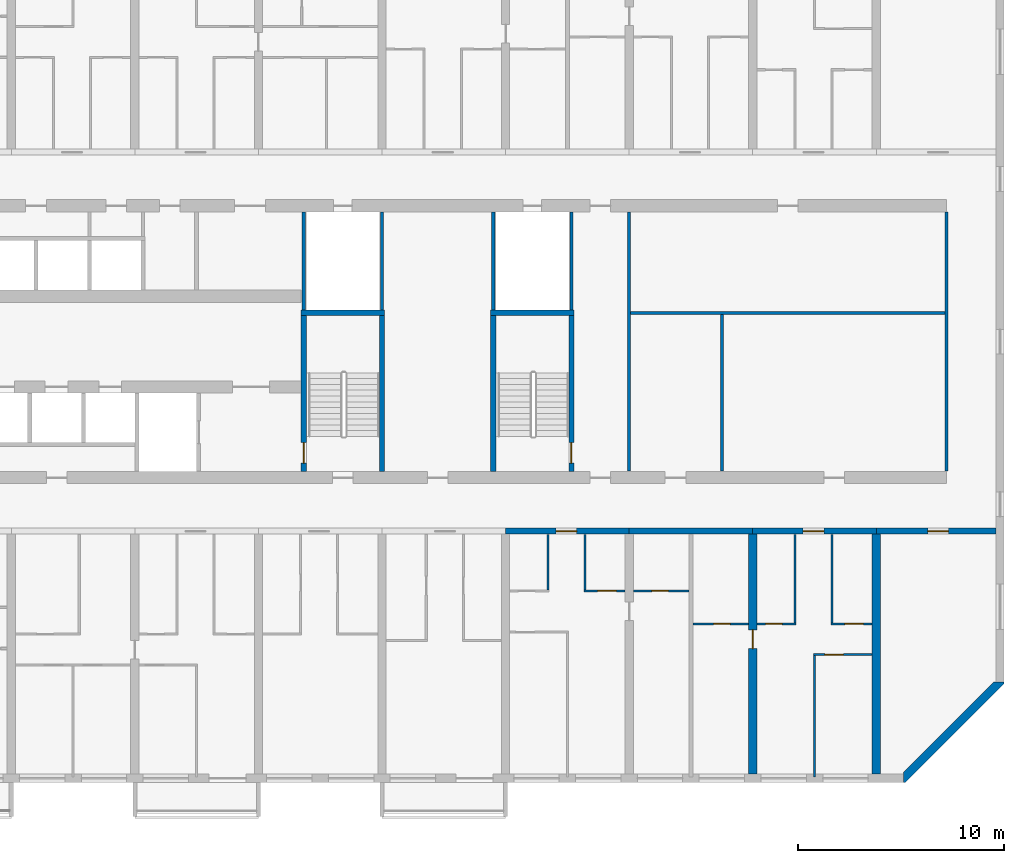
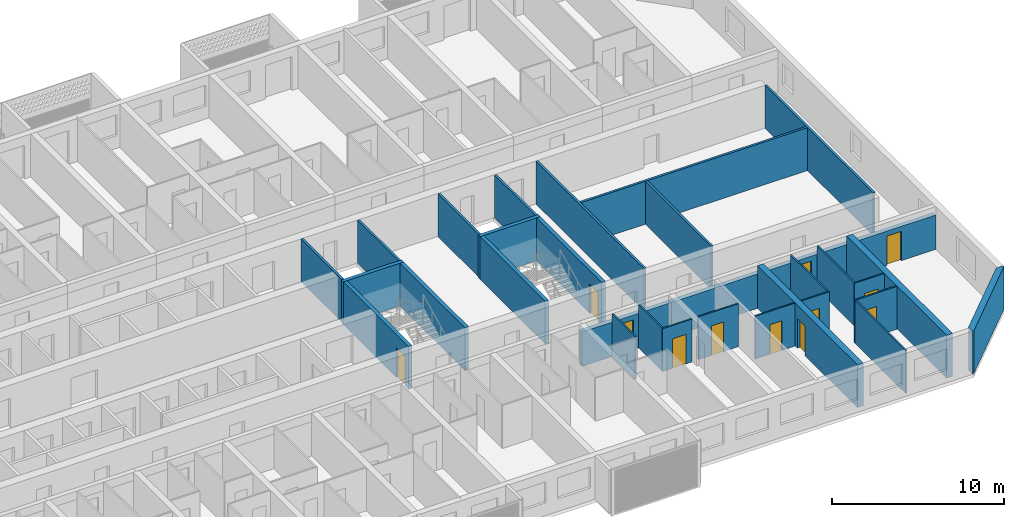
# One storey, part 17 of 44: 32 walls, 12 doors, 12 openings.
"""IFC4 building model written with IfcOpenShell, lengths in metres."""

from ifc_helpers import new_model, si_unit, direction, frame, frame_2d, origin, place, context, subcontext, project, spatial, polyline, rectangle, outline, extrude, material, layer, layer_set, type_object, element, fill, save


model = new_model("IFC4")

# Units and contexts
model_context = context("Model", 3, precision=1e-05, world=origin(), true_north=direction((0.0, 1.0)))
body_context = subcontext(model_context, "Body", "Model", "MODEL_VIEW")
ifc_project = project(units=[si_unit("LENGTHUNIT", "METRE"), si_unit("AREAUNIT", "SQUARE_METRE"), si_unit("VOLUMEUNIT", "CUBIC_METRE"), si_unit("PLANEANGLEUNIT", "RADIAN"), si_unit("MASSUNIT", "GRAM", prefix="KILO")], contexts=[model_context])

# Site, building, storey
site_placement = place(None, origin())
site = spatial("IfcSite", under=ifc_project, at=site_placement, CompositionType="ELEMENT")
building_placement = place(site_placement, origin())
building = spatial("IfcBuilding", under=site, at=building_placement, Name="Poui Terraces", CompositionType="ELEMENT")
storey_placement = place(building_placement, frame((0.0, 0.0, 26.699951171875)))
storey = spatial("IfcBuildingStorey", under=building, at=storey_placement, Name="L06", CompositionType="ELEMENT", Elevation=26.699951171875)

# Walls
ifc_material_1 = material(Name="Fire-rated plasterboard wall")
ifc_layer_1 = layer(ifc_material_1, 0.14990234375)
ifc_layer_set_1 = layer_set([ifc_layer_1], Name="Fire-rated plasterboard wall")
wall_type_1 = type_object("IfcWallType", Name="CORRIDOR WALL 150", PredefinedType="PARTITIONING", material=ifc_layer_set_1)
for number, where, z_axis, x_axis, name in (
    (1, (84.0, 14.909912109375, 0.0), (0.0, 0.0, 1.0), (0.0, 1.0, 0.0), "CORRIDOR WALL 150"),
    (2, (99.39990234375, 14.909912109375, 0.0), (0.0, 0.0, 1.0), (0.0, 1.0, 0.0), "CORRIDOR WALL 150"),
):
    element("IfcWall", number, at=place(storey_placement, frame(where, z_axis=z_axis, x_axis=x_axis)), inside=storey, type_object=wall_type_1, Name=name, PredefinedType="PARTITIONING", context=body_context, shape_type="SweptSolid", body=[
        extrude(rectangle(XDim=12.580078125, YDim=0.14990234375, at=frame_2d((6.2900390625, 0.0))), origin(), (0.0, 0.0, 1.0), 3.050048828125),
    ])

# Wall, opening, door
ifc_material_2 = material(Name="Concrete 80 MPa", Category="concrete")
ifc_layer_2 = layer(ifc_material_2, 0.300048828125)
ifc_layer_set_2 = layer_set([ifc_layer_2], Name="Concrete 80 MPa")
wall_type_2 = type_object("IfcWallType", Name="CORRIDOR WALL 300 80MPa", PredefinedType="SHEAR", material=ifc_layer_set_2)
wall_1_placement = place(storey_placement, frame((78.0, 12.0, 0.0), z_axis=(0.0, 0.0, 1.0), x_axis=(1.0, 0.0, 0.0)))
wall_1 = element("IfcWall", 3, at=wall_1_placement, inside=storey, type_object=wall_type_2, Name="CORRIDOR WALL LINE B BAY 14", PredefinedType="SHEAR", context=body_context, shape_type="SweptSolid", body=[
    extrude(rectangle(XDim=6.0, YDim=0.300048828125, at=frame_2d((3.0, 0.0))), origin(), (0.0, 0.0, 1.0), 2.449951171875),
])
opening_1_placement = place(wall_1_placement, frame((2.449951171875, 0.0, 0.0)))
opening_1 = element("IfcOpeningElement", 4, at=opening_1_placement, cuts=wall_1, Name="Opening FD30S", PredefinedType="OPENING", context=body_context, shape_type="SweptSolid", body=[
    extrude(rectangle(XDim=1.0, YDim=2.10009765625, at=frame_2d((0.5, 1.050048828125))), frame((0.0, 0.16015625, 0.0), z_axis=(0.0, -1.0, 0.0), x_axis=(1.0, 0.0, 0.0)), (0.0, 0.0, 1.0), 0.320068359375),
])
ifc_material_3 = material(Name="Steel fire door", Category="steel")
door_type_1 = type_object("IfcDoorType", Name="FLAT ENTRANCE DOOR 1000 X 2100", OperationType="NOTDEFINED", PredefinedType="DOOR", material=ifc_material_3)
door_1_placement = place(opening_1_placement, frame((1.0, 0.0, 0.0), z_axis=(0.0, 0.0, 1.0), x_axis=(-1.0, 0.0, 0.0)))
door_1 = element("IfcDoor", 5, at=door_1_placement, inside=storey, type_object=door_type_1, Name="FLAT ENTRANCE DOOR 141", OperationType="SINGLE_SWING_RIGHT", OverallHeight=2.10009765625, OverallWidth=1.0, PredefinedType="DOOR", context=body_context, shape_type="SweptSolid", body=[
    extrude(rectangle(XDim=1.0, YDim=2.10009765625, at=frame_2d((0.5, 1.050048828125))), frame((0.0, 0.02490234375, 0.0), z_axis=(0.0, -1.0, 0.0), x_axis=(1.0, 0.0, 0.0)), (0.0, 0.0, 1.0), 0.050048828125),
])
fill(opening_1, door_1)

# Wall
wall_2_placement = place(storey_placement, frame((84.0, 12.0, 0.0), z_axis=(0.0, 0.0, 1.0), x_axis=(1.0, 0.0, 0.0)))
element("IfcWall", 6, at=wall_2_placement, inside=storey, type_object=wall_type_2, Name="CORRIDOR WALL LINE B BAY 15", PredefinedType="SHEAR", context=body_context, shape_type="SweptSolid", body=[
    extrude(rectangle(XDim=6.0, YDim=0.300048828125, at=frame_2d((3.0, 0.0))), origin(), (0.0, 0.0, 1.0), 2.449951171875),
])

# Wall, opening, door
wall_3_placement = place(storey_placement, frame((90.0, 12.0, 0.0), z_axis=(0.0, 0.0, 1.0), x_axis=(1.0, 0.0, 0.0)))
wall_3 = element("IfcWall", 7, at=wall_3_placement, inside=storey, type_object=wall_type_2, Name="CORRIDOR WALL LINE B BAY 16", PredefinedType="SHEAR", context=body_context, shape_type="SweptSolid", body=[
    extrude(rectangle(XDim=6.0, YDim=0.300048828125, at=frame_2d((3.0, 0.0))), origin(), (0.0, 0.0, 1.0), 2.449951171875),
])
opening_2_placement = place(wall_3_placement, frame((2.449951171875, 0.0, 0.0)))
opening_2 = element("IfcOpeningElement", 8, at=opening_2_placement, cuts=wall_3, Name="Opening FD30S", PredefinedType="OPENING", context=body_context, shape_type="SweptSolid", body=[
    extrude(rectangle(XDim=1.0, YDim=2.10009765625, at=frame_2d((0.5, 1.050048828125))), frame((0.0, 0.16015625, 0.0), z_axis=(0.0, -1.0, 0.0), x_axis=(1.0, 0.0, 0.0)), (0.0, 0.0, 1.0), 0.320068359375),
])
door_2_placement = place(opening_2_placement, frame((1.0, 0.0, 0.0), z_axis=(0.0, 0.0, 1.0), x_axis=(-1.0, 0.0, 0.0)))
door_2 = element("IfcDoor", 9, at=door_2_placement, inside=storey, type_object=door_type_1, Name="FLAT ENTRANCE DOOR 147", OperationType="SINGLE_SWING_RIGHT", OverallHeight=2.10009765625, OverallWidth=1.0, PredefinedType="DOOR", context=body_context, shape_type="SweptSolid", body=[
    extrude(rectangle(XDim=1.0, YDim=2.10009765625, at=frame_2d((0.5, 1.050048828125))), frame((0.0, 0.02490234375, 0.0), z_axis=(0.0, -1.0, 0.0), x_axis=(1.0, 0.0, 0.0)), (0.0, 0.0, 1.0), 0.050048828125),
])
fill(opening_2, door_2)

wall_4_placement = place(storey_placement, frame((96.0, 12.0, 0.0), z_axis=(0.0, 0.0, 1.0), x_axis=(1.0, 0.0, 0.0)))
wall_4 = element("IfcWall", 10, at=wall_4_placement, inside=storey, type_object=wall_type_2, Name="CORRIDOR WALL LINE B BAY 17", PredefinedType="SHEAR", context=body_context, shape_type="SweptSolid", body=[
    extrude(rectangle(XDim=5.800048828125, YDim=0.300048828125, at=frame_2d((2.89990234375, 0.0))), origin(), (0.0, 0.0, 1.0), 2.449951171875),
])
opening_3_placement = place(wall_4_placement, frame((2.5, 0.0, 0.0)))
opening_3 = element("IfcOpeningElement", 11, at=opening_3_placement, cuts=wall_4, Name="Opening D100", PredefinedType="OPENING", context=body_context, shape_type="SweptSolid", body=[
    extrude(rectangle(XDim=1.0, YDim=2.10009765625, at=frame_2d((0.5, 1.050048828125))), frame((0.0, 0.16015625, 0.0), z_axis=(0.0, -1.0, 0.0), x_axis=(1.0, 0.0, 0.0)), (0.0, 0.0, 1.0), 0.320068359375),
])
ifc_material_4 = material(Name="Solid core timber door", Category="wood")
door_type_2 = type_object("IfcDoorType", Name="ACCESSIBLE INTERNAL DOOR 1000 X 2100", OperationType="NOTDEFINED", PredefinedType="DOOR", material=ifc_material_4)
door_3_placement = place(opening_3_placement, frame((1.0, 0.0, 0.0), z_axis=(0.0, 0.0, 1.0), x_axis=(-1.0, 0.0, 0.0)))
door_3 = element("IfcDoor", 12, at=door_3_placement, inside=storey, type_object=door_type_2, Name="ACCESSIBLE INTERNAL DOOR 150", OperationType="SINGLE_SWING_RIGHT", OverallHeight=2.10009765625, OverallWidth=1.0, PredefinedType="DOOR", context=body_context, shape_type="SweptSolid", body=[
    extrude(rectangle(XDim=1.0, YDim=2.10009765625, at=frame_2d((0.5, 1.050048828125))), frame((0.0, 0.02490234375, 0.0), z_axis=(0.0, -1.0, 0.0), x_axis=(1.0, 0.0, 0.0)), (0.0, 0.0, 1.0), 0.050048828125),
])
fill(opening_3, door_3)

ifc_layer_3 = layer(ifc_material_2, 0.39990234375)
ifc_layer_set_3 = layer_set([ifc_layer_3], Name="Concrete 80 MPa")
wall_type_3 = type_object("IfcWallType", Name="CROSS WALL 400 80MPa", PredefinedType="SHEAR", material=ifc_layer_set_3)
wall_5_placement = place(storey_placement, frame((90.0, 0.199951171875, 0.0), z_axis=(0.0, 0.0, 1.0), x_axis=(0.0, 1.0, 0.0)))
wall_5 = element("IfcWall", 13, at=wall_5_placement, inside=storey, type_object=wall_type_3, Name="CROSS WALL LINE 16 SOUTH", PredefinedType="SHEAR", context=body_context, shape_type="SweptSolid", body=[
    extrude(rectangle(XDim=11.650146484375, YDim=0.39990234375, at=frame_2d((5.8251953125, 0.0))), origin(), (0.0, 0.0, 1.0), 3.050048828125),
])
opening_4_placement = place(wall_5_placement, frame((6.10009765625, 0.0, 0.0)))
opening_4 = element("IfcOpeningElement", 14, at=opening_4_placement, cuts=wall_5, Name="Opening D90", PredefinedType="OPENING", context=body_context, shape_type="SweptSolid", body=[
    extrude(rectangle(XDim=0.89990234375, YDim=2.10009765625, at=frame_2d((0.449951171875, 1.050048828125))), frame((0.0, 0.2099609375, 0.0), z_axis=(0.0, -1.0, 0.0), x_axis=(1.0, 0.0, 0.0)), (0.0, 0.0, 1.0), 0.419921875),
])
door_type_3 = type_object("IfcDoorType", Name="INTERNAL DOOR 900 X 2100", OperationType="NOTDEFINED", PredefinedType="DOOR", material=ifc_material_4)
door_4_placement = place(opening_4_placement, origin())
door_4 = element("IfcDoor", 15, at=door_4_placement, inside=storey, type_object=door_type_3, Name="INTERNAL DOOR 145", OperationType="SINGLE_SWING_RIGHT", OverallHeight=2.10009765625, OverallWidth=0.89990234375, PredefinedType="DOOR", context=body_context, shape_type="SweptSolid", body=[
    extrude(rectangle(XDim=0.89990234375, YDim=2.10009765625, at=frame_2d((0.449951171875, 1.050048828125))), frame((0.0, 0.02490234375, 0.0), z_axis=(0.0, -1.0, 0.0), x_axis=(1.0, 0.0, 0.0)), (0.0, 0.0, 1.0), 0.050048828125),
])
fill(opening_4, door_4)

# Wall
wall_6_placement = place(storey_placement, frame((96.0, 0.199951171875, 0.0), z_axis=(0.0, 0.0, 1.0), x_axis=(0.0, 1.0, 0.0)))
element("IfcWall", 16, at=wall_6_placement, inside=storey, type_object=wall_type_3, Name="CROSS WALL LINE 17 SOUTH", PredefinedType="SHEAR", context=body_context, shape_type="SweptSolid", body=[
    extrude(rectangle(XDim=11.650146484375, YDim=0.39990234375, at=frame_2d((5.8251953125, 0.0))), origin(), (0.0, 0.0, 1.0), 3.050048828125),
])

# Wall, opening, door
ifc_material_5 = material(Name="Plasterboard partition")
ifc_layer_4 = layer(ifc_material_5, 0.10009765625)
ifc_layer_set_4 = layer_set([ifc_layer_4], Name="Plasterboard partition")
wall_type_4 = type_object("IfcWallType", Name="FLAT PARTITION 100", PredefinedType="PARTITIONING", material=ifc_layer_set_4)
wall_7_placement = place(storey_placement, frame((92.949951171875, 6.0, 0.0), z_axis=(0.0, 0.0, 1.0), x_axis=(1.0, 0.0, 0.0)))
wall_7 = element("IfcWall", 17, at=wall_7_placement, inside=storey, type_object=wall_type_4, Name="FLAT PARTITION 100", PredefinedType="PARTITIONING", context=body_context, shape_type="SweptSolid", body=[
    extrude(rectangle(XDim=2.840087890625, YDim=0.10009765625, at=frame_2d((1.419921875, 0.0))), origin(), (0.0, 0.0, 1.0), 3.050048828125),
])
opening_5_placement = place(wall_7_placement, frame((0.550048828125, 0.0, 0.0)))
opening_5 = element("IfcOpeningElement", 18, at=opening_5_placement, cuts=wall_7, Name="Opening D90", PredefinedType="OPENING", context=body_context, shape_type="SweptSolid", body=[
    extrude(rectangle(XDim=0.89990234375, YDim=2.10009765625, at=frame_2d((0.449951171875, 1.050048828125))), frame((0.0, 0.06005859375, 0.0), z_axis=(0.0, -1.0, 0.0), x_axis=(1.0, 0.0, 0.0)), (0.0, 0.0, 1.0), 0.1201171875),
])
door_5_placement = place(opening_5_placement, origin())
door_5 = element("IfcDoor", 19, at=door_5_placement, inside=storey, type_object=door_type_3, Name="INTERNAL DOOR 148", OperationType="SINGLE_SWING_RIGHT", OverallHeight=2.10009765625, OverallWidth=0.89990234375, PredefinedType="DOOR", context=body_context, shape_type="SweptSolid", body=[
    extrude(rectangle(XDim=0.89990234375, YDim=2.10009765625, at=frame_2d((0.449951171875, 1.050048828125))), frame((0.0, 0.02490234375, 0.0), z_axis=(0.0, -1.0, 0.0), x_axis=(1.0, 0.0, 0.0)), (0.0, 0.0, 1.0), 0.050048828125),
])
fill(opening_5, door_5)

wall_8_placement = place(storey_placement, frame((87.10009765625, 7.5, 0.0), z_axis=(0.0, 0.0, 1.0), x_axis=(1.0, 0.0, 0.0)))
wall_8 = element("IfcWall", 20, at=wall_8_placement, inside=storey, type_object=wall_type_4, Name="FLAT PARTITION 100", PredefinedType="PARTITIONING", context=body_context, shape_type="SweptSolid", body=[
    extrude(rectangle(XDim=2.68994140625, YDim=0.10009765625, at=frame_2d((1.344970703125, 0.0))), origin(), (0.0, 0.0, 1.0), 3.050048828125),
])
opening_6_placement = place(wall_8_placement, frame((1.0, 0.0, 0.0)))
opening_6 = element("IfcOpeningElement", 21, at=opening_6_placement, cuts=wall_8, Name="Opening D80", PredefinedType="OPENING", context=body_context, shape_type="SweptSolid", body=[
    extrude(rectangle(XDim=0.800048828125, YDim=2.10009765625, at=frame_2d((0.39990234375, 1.050048828125))), frame((0.0, 0.06005859375, 0.0), z_axis=(0.0, -1.0, 0.0), x_axis=(1.0, 0.0, 0.0)), (0.0, 0.0, 1.0), 0.1201171875),
])
door_type_4 = type_object("IfcDoorType", Name="BATHROOM, LAUNDRY AND STORE DOOR 800 X 2100", OperationType="NOTDEFINED", PredefinedType="DOOR", material=ifc_material_4)
door_6_placement = place(opening_6_placement, origin())
door_6 = element("IfcDoor", 22, at=door_6_placement, inside=storey, type_object=door_type_4, Name="BATHROOM, LAUNDRY AND STORE DOOR 144", OperationType="SINGLE_SWING_RIGHT", OverallHeight=2.10009765625, OverallWidth=0.800048828125, PredefinedType="DOOR", context=body_context, shape_type="SweptSolid", body=[
    extrude(rectangle(XDim=0.800048828125, YDim=2.10009765625, at=frame_2d((0.39990234375, 1.050048828125))), frame((0.0, 0.02490234375, 0.0), z_axis=(0.0, -1.0, 0.0), x_axis=(1.0, 0.0, 0.0)), (0.0, 0.0, 1.0), 0.050048828125),
])
fill(opening_6, door_6)

wall_9_placement = place(storey_placement, frame((90.2099609375, 7.5, 0.0), z_axis=(0.0, 0.0, 1.0), x_axis=(1.0, 0.0, 0.0)))
wall_9 = element("IfcWall", 23, at=wall_9_placement, inside=storey, type_object=wall_type_4, Name="FLAT PARTITION 100", PredefinedType="PARTITIONING", context=body_context, shape_type="SweptSolid", body=[
    extrude(rectangle(XDim=1.89013671875, YDim=0.10009765625, at=frame_2d((0.945068359375, 0.0))), origin(), (0.0, 0.0, 1.0), 3.050048828125),
])
opening_7_placement = place(wall_9_placement, frame((0.4150390625, 0.0, 0.0)))
opening_7 = element("IfcOpeningElement", 24, at=opening_7_placement, cuts=wall_9, Name="Opening D80", PredefinedType="OPENING", context=body_context, shape_type="SweptSolid", body=[
    extrude(rectangle(XDim=0.800048828125, YDim=2.10009765625, at=frame_2d((0.39990234375, 1.050048828125))), frame((0.0, 0.06005859375, 0.0), z_axis=(0.0, -1.0, 0.0), x_axis=(1.0, 0.0, 0.0)), (0.0, 0.0, 1.0), 0.1201171875),
])
door_7_placement = place(opening_7_placement, origin())
door_7 = element("IfcDoor", 25, at=door_7_placement, inside=storey, type_object=door_type_4, Name="BATHROOM, LAUNDRY AND STORE DOOR 146", OperationType="SINGLE_SWING_RIGHT", OverallHeight=2.10009765625, OverallWidth=0.800048828125, PredefinedType="DOOR", context=body_context, shape_type="SweptSolid", body=[
    extrude(rectangle(XDim=0.800048828125, YDim=2.10009765625, at=frame_2d((0.39990234375, 1.050048828125))), frame((0.0, 0.02490234375, 0.0), z_axis=(0.0, -1.0, 0.0), x_axis=(1.0, 0.0, 0.0)), (0.0, 0.0, 1.0), 0.050048828125),
])
fill(opening_7, door_7)

wall_10_placement = place(storey_placement, frame((93.800048828125, 7.5, 0.0), z_axis=(0.0, 0.0, 1.0), x_axis=(1.0, 0.0, 0.0)))
wall_10 = element("IfcWall", 26, at=wall_10_placement, inside=storey, type_object=wall_type_4, Name="FLAT PARTITION 100", PredefinedType="PARTITIONING", context=body_context, shape_type="SweptSolid", body=[
    extrude(rectangle(XDim=1.989990234375, YDim=0.10009765625, at=frame_2d((0.9951171875, 0.0))), origin(), (0.0, 0.0, 1.0), 3.050048828125),
])
opening_8_placement = place(wall_10_placement, frame((0.675048828125, 0.0, 0.0)))
opening_8 = element("IfcOpeningElement", 27, at=opening_8_placement, cuts=wall_10, Name="Opening D90", PredefinedType="OPENING", context=body_context, shape_type="SweptSolid", body=[
    extrude(rectangle(XDim=0.89990234375, YDim=2.10009765625, at=frame_2d((0.449951171875, 1.050048828125))), frame((0.0, 0.06005859375, 0.0), z_axis=(0.0, -1.0, 0.0), x_axis=(1.0, 0.0, 0.0)), (0.0, 0.0, 1.0), 0.1201171875),
])
door_8_placement = place(opening_8_placement, origin())
door_8 = element("IfcDoor", 28, at=door_8_placement, inside=storey, type_object=door_type_3, Name="INTERNAL DOOR 149", OperationType="SINGLE_SWING_LEFT", OverallHeight=2.10009765625, OverallWidth=0.89990234375, PredefinedType="DOOR", context=body_context, shape_type="SweptSolid", body=[
    extrude(rectangle(XDim=0.89990234375, YDim=2.10009765625, at=frame_2d((0.449951171875, 1.050048828125))), frame((0.0, 0.02490234375, 0.0), z_axis=(0.0, -1.0, 0.0), x_axis=(1.0, 0.0, 0.0)), (0.0, 0.0, 1.0), 0.050048828125),
])
fill(opening_8, door_8)

wall_11_placement = place(storey_placement, frame((81.800048828125, 9.10009765625, 0.0), z_axis=(0.0, 0.0, 1.0), x_axis=(1.0, 0.0, 0.0)))
wall_11 = element("IfcWall", 29, at=wall_11_placement, inside=storey, type_object=wall_type_4, Name="FLAT PARTITION 100", PredefinedType="PARTITIONING", context=body_context, shape_type="SweptSolid", body=[
    extrude(rectangle(XDim=1.989990234375, YDim=0.10009765625, at=frame_2d((0.9951171875, 0.0))), origin(), (0.0, 0.0, 1.0), 3.050048828125),
])
opening_9_placement = place(wall_11_placement, frame((0.675048828125, 0.0, 0.0)))
opening_9 = element("IfcOpeningElement", 30, at=opening_9_placement, cuts=wall_11, Name="Opening D90", PredefinedType="OPENING", context=body_context, shape_type="SweptSolid", body=[
    extrude(rectangle(XDim=0.89990234375, YDim=2.10009765625, at=frame_2d((0.449951171875, 1.050048828125))), frame((0.0, 0.06005859375, 0.0), z_axis=(0.0, -1.0, 0.0), x_axis=(1.0, 0.0, 0.0)), (0.0, 0.0, 1.0), 0.1201171875),
])
door_9_placement = place(opening_9_placement, origin())
door_9 = element("IfcDoor", 31, at=door_9_placement, inside=storey, type_object=door_type_3, Name="INTERNAL DOOR 142", OperationType="SINGLE_SWING_RIGHT", OverallHeight=2.10009765625, OverallWidth=0.89990234375, PredefinedType="DOOR", context=body_context, shape_type="SweptSolid", body=[
    extrude(rectangle(XDim=0.89990234375, YDim=2.10009765625, at=frame_2d((0.449951171875, 1.050048828125))), frame((0.0, 0.02490234375, 0.0), z_axis=(0.0, -1.0, 0.0), x_axis=(1.0, 0.0, 0.0)), (0.0, 0.0, 1.0), 0.050048828125),
])
fill(opening_9, door_9)

wall_12_placement = place(storey_placement, frame((84.2099609375, 9.10009765625, 0.0), z_axis=(0.0, 0.0, 1.0), x_axis=(1.0, 0.0, 0.0)))
wall_12 = element("IfcWall", 32, at=wall_12_placement, inside=storey, type_object=wall_type_4, Name="FLAT PARTITION 100", PredefinedType="PARTITIONING", context=body_context, shape_type="SweptSolid", body=[
    extrude(rectangle(XDim=2.68994140625, YDim=0.10009765625, at=frame_2d((1.344970703125, 0.0))), origin(), (0.0, 0.0, 1.0), 3.050048828125),
])
opening_10_placement = place(wall_12_placement, frame((0.889892578125, 0.0, 0.0)))
opening_10 = element("IfcOpeningElement", 33, at=opening_10_placement, cuts=wall_12, Name="Opening D80", PredefinedType="OPENING", context=body_context, shape_type="SweptSolid", body=[
    extrude(rectangle(XDim=0.800048828125, YDim=2.10009765625, at=frame_2d((0.39990234375, 1.050048828125))), frame((0.0, 0.06005859375, 0.0), z_axis=(0.0, -1.0, 0.0), x_axis=(1.0, 0.0, 0.0)), (0.0, 0.0, 1.0), 0.1201171875),
])
door_10_placement = place(opening_10_placement, origin())
door_10 = element("IfcDoor", 34, at=door_10_placement, inside=storey, type_object=door_type_4, Name="BATHROOM, LAUNDRY AND STORE DOOR 138", OperationType="SINGLE_SWING_LEFT", OverallHeight=2.10009765625, OverallWidth=0.800048828125, PredefinedType="DOOR", context=body_context, shape_type="SweptSolid", body=[
    extrude(rectangle(XDim=0.800048828125, YDim=2.10009765625, at=frame_2d((0.39990234375, 1.050048828125))), frame((0.0, 0.02490234375, 0.0), z_axis=(0.0, -1.0, 0.0), x_axis=(1.0, 0.0, 0.0)), (0.0, 0.0, 1.0), 0.050048828125),
])
fill(opening_10, door_10)

# Walls
for number, where, z_axis, x_axis, name in (
    (35, (80.050048828125, 9.14990234375, 0.0), (0.0, 0.0, 1.0), (0.0, 1.0, 0.0), "FLAT PARTITION 100"),
    (36, (81.85009765625, 9.14990234375, 0.0), (0.0, 0.0, 1.0), (0.0, 1.0, 0.0), "FLAT PARTITION 100"),
):
    element("IfcWall", number, at=place(storey_placement, frame(where, z_axis=z_axis, x_axis=x_axis)), inside=storey, type_object=wall_type_4, Name=name, PredefinedType="PARTITIONING", context=body_context, shape_type="SweptSolid", body=[
        extrude(rectangle(XDim=2.690185546875, YDim=0.10009765625, at=frame_2d((1.34521484375, 0.0))), origin(), (0.0, 0.0, 1.0), 3.050048828125),
    ])
wall_13_placement = place(storey_placement, frame((92.050048828125, 7.550048828125, 0.0), z_axis=(0.0, 0.0, 1.0), x_axis=(0.0, 1.0, 0.0)))
element("IfcWall", 37, at=wall_13_placement, inside=storey, type_object=wall_type_4, Name="FLAT PARTITION 100", PredefinedType="PARTITIONING", context=body_context, shape_type="SweptSolid", body=[
    extrude(rectangle(XDim=4.2900390625, YDim=0.10009765625, at=frame_2d((2.14501953125, 0.0))), origin(), (0.0, 0.0, 1.0), 3.050048828125),
])
wall_14_placement = place(storey_placement, frame((93.0, 0.06005859375, 0.0), z_axis=(0.0, 0.0, 1.0), x_axis=(0.0, 1.0, 0.0)))
element("IfcWall", 38, at=wall_14_placement, inside=storey, type_object=wall_type_4, Name="FLAT PARTITION 100", PredefinedType="PARTITIONING", context=body_context, shape_type="SweptSolid", body=[
    extrude(rectangle(XDim=5.889892578125, YDim=0.10009765625, at=frame_2d((2.94482421875, 0.0))), origin(), (0.0, 0.0, 1.0), 3.050048828125),
])
wall_15_placement = place(storey_placement, frame((93.85009765625, 7.550048828125, 0.0), z_axis=(0.0, 0.0, 1.0), x_axis=(0.0, 1.0, 0.0)))
element("IfcWall", 39, at=wall_15_placement, inside=storey, type_object=wall_type_4, Name="FLAT PARTITION 100", PredefinedType="PARTITIONING", context=body_context, shape_type="SweptSolid", body=[
    extrude(rectangle(XDim=4.2900390625, YDim=0.10009765625, at=frame_2d((2.14501953125, 0.0))), origin(), (0.0, 0.0, 1.0), 3.050048828125),
])
ifc_layer_5 = layer(ifc_material_5, 0.14990234375)
ifc_layer_set_5 = layer_set([ifc_layer_5], Name="Plasterboard partition")
wall_type_5 = type_object("IfcWallType", Name="PARTITION WALL 150", PredefinedType="PARTITIONING", material=ifc_layer_set_5)
wall_16_placement = place(storey_placement, frame((84.074951171875, 22.60009765625, 0.0), z_axis=(0.0, 0.0, 1.0), x_axis=(1.0, 0.0, 0.0)))
element("IfcWall", 40, at=wall_16_placement, inside=storey, type_object=wall_type_5, Name="PARTITION WALL 150", PredefinedType="PARTITIONING", context=body_context, shape_type="SweptSolid", body=[
    extrude(rectangle(XDim=15.25, YDim=0.14990234375, at=frame_2d((7.625, 0.0))), origin(), (0.0, 0.0, 1.0), 3.050048828125),
])
wall_17_placement = place(storey_placement, frame((88.5, 14.909912109375, 0.0), z_axis=(0.0, 0.0, 1.0), x_axis=(0.0, 1.0, 0.0)))
element("IfcWall", 41, at=wall_17_placement, inside=storey, type_object=wall_type_5, Name="PARTITION WALL 150", PredefinedType="PARTITIONING", context=body_context, shape_type="SweptSolid", body=[
    extrude(rectangle(XDim=7.614990234375, YDim=0.14990234375, at=frame_2d((3.8076171875, 0.0))), origin(), (0.0, 0.0, 1.0), 3.050048828125),
])
ifc_material_6 = material(Name="Fire-rated plasterboard riser wall")
ifc_layer_6 = layer(ifc_material_6, 0.14990234375)
ifc_layer_set_6 = layer_set([ifc_layer_6], Name="Fire-rated plasterboard riser wall")
wall_type_6 = type_object("IfcWallType", Name="RISER WALL 150", PredefinedType="PARTITIONING", material=ifc_layer_set_6)
for number, where, z_axis, x_axis, name in (
    (42, (68.199951171875, 22.735107421875, 0.0), (0.0, 0.0, 1.0), (0.0, 1.0, 0.0), "RISER WALL 150"),
    (43, (72.0, 22.735107421875, 0.0), (0.0, 0.0, 1.0), (0.0, 1.0, 0.0), "RISER WALL 150"),
    (44, (77.39990234375, 22.735107421875, 0.0), (0.0, 0.0, 1.0), (0.0, 1.0, 0.0), "RISER WALL 150"),
    (45, (81.199951171875, 22.735107421875, 0.0), (0.0, 0.0, 1.0), (0.0, 1.0, 0.0), "RISER WALL 150"),
):
    element("IfcWall", number, at=place(storey_placement, frame(where, z_axis=z_axis, x_axis=x_axis)), inside=storey, type_object=wall_type_6, Name=name, PredefinedType="PARTITIONING", context=body_context, shape_type="SweptSolid", body=[
        extrude(rectangle(XDim=4.7548828125, YDim=0.14990234375, at=frame_2d((2.37744140625, 0.0))), origin(), (0.0, 0.0, 1.0), 3.050048828125),
    ])

# Wall, opening, door
ifc_layer_7 = layer(ifc_material_2, 0.25)
ifc_layer_set_7 = layer_set([ifc_layer_7], Name="Concrete 80 MPa")
wall_type_7 = type_object("IfcWallType", Name="STAIR CORE WALL 250 80 MPA", PredefinedType="SOLIDWALL", material=ifc_layer_set_7)
wall_18_placement = place(storey_placement, frame((68.199951171875, 14.89990234375, 0.0), z_axis=(0.0, 0.0, 1.0), x_axis=(0.0, 1.0, 0.0)))
wall_18 = element("IfcWall", 46, at=wall_18_placement, inside=storey, type_object=wall_type_7, Name="STAIR CORE WALL", PredefinedType="SOLIDWALL", context=body_context, shape_type="SweptSolid", body=[
    extrude(rectangle(XDim=7.5751953125, YDim=0.25, at=frame_2d((3.78759765625, 0.0))), origin(), (0.0, 0.0, 1.0), 3.050048828125),
])
opening_11_placement = place(wall_18_placement, frame((0.39990234375, 0.0, 0.0)))
opening_11 = element("IfcOpeningElement", 47, at=opening_11_placement, cuts=wall_18, Name="Opening FD60S", PredefinedType="OPENING", context=body_context, shape_type="SweptSolid", body=[
    extrude(rectangle(XDim=1.0, YDim=2.10009765625, at=frame_2d((0.5, 1.050048828125))), frame((0.0, 0.135009765625, 0.0), z_axis=(0.0, -1.0, 0.0), x_axis=(1.0, 0.0, 0.0)), (0.0, 0.0, 1.0), 0.27001953125),
])
door_type_5 = type_object("IfcDoorType", Name="STAIR DOOR 1000 X 2100", OperationType="NOTDEFINED", PredefinedType="DOOR", material=ifc_material_3)
door_11_placement = place(opening_11_placement, frame((1.0, 0.0, 0.0), z_axis=(0.0, 0.0, 1.0), x_axis=(-1.0, 0.0, 0.0)))
door_11 = element("IfcDoor", 48, at=door_11_placement, inside=storey, type_object=door_type_5, Name="STAIR DOOR 152", OperationType="SINGLE_SWING_LEFT", OverallHeight=2.10009765625, OverallWidth=1.0, PredefinedType="DOOR", context=body_context, shape_type="SweptSolid", body=[
    extrude(rectangle(XDim=1.0, YDim=2.10009765625, at=frame_2d((0.5, 1.050048828125))), frame((0.0, 0.02490234375, 0.0), z_axis=(0.0, -1.0, 0.0), x_axis=(1.0, 0.0, 0.0)), (0.0, 0.0, 1.0), 0.050048828125),
])
fill(opening_11, door_11)

# Walls
wall_19_placement = place(storey_placement, frame((72.0, 14.89990234375, 0.0), z_axis=(0.0, 0.0, 1.0), x_axis=(0.0, 1.0, 0.0)))
element("IfcWall", 49, at=wall_19_placement, inside=storey, type_object=wall_type_7, Name="STAIR CORE WALL", PredefinedType="SOLIDWALL", context=body_context, shape_type="SweptSolid", body=[
    extrude(rectangle(XDim=7.5751953125, YDim=0.25, at=frame_2d((3.78759765625, 0.0))), origin(), (0.0, 0.0, 1.0), 3.050048828125),
])
wall_20_placement = place(storey_placement, frame((68.074951171875, 22.60009765625, 0.0), z_axis=(0.0, 0.0, 1.0), x_axis=(1.0, 0.0, 0.0)))
element("IfcWall", 50, at=wall_20_placement, inside=storey, type_object=wall_type_7, Name="STAIR CORE WALL", PredefinedType="SOLIDWALL", context=body_context, shape_type="SweptSolid", body=[
    extrude(rectangle(XDim=4.050048828125, YDim=0.25, at=frame_2d((2.02490234375, 0.0))), origin(), (0.0, 0.0, 1.0), 3.050048828125),
])
wall_21_placement = place(storey_placement, frame((77.39990234375, 14.89990234375, 0.0), z_axis=(0.0, 0.0, 1.0), x_axis=(0.0, 1.0, 0.0)))
element("IfcWall", 51, at=wall_21_placement, inside=storey, type_object=wall_type_7, Name="STAIR CORE WALL", PredefinedType="SOLIDWALL", context=body_context, shape_type="SweptSolid", body=[
    extrude(rectangle(XDim=7.5751953125, YDim=0.25, at=frame_2d((3.78759765625, 0.0))), origin(), (0.0, 0.0, 1.0), 3.050048828125),
])

# Wall, opening, door
wall_22_placement = place(storey_placement, frame((81.199951171875, 14.89990234375, 0.0), z_axis=(0.0, 0.0, 1.0), x_axis=(0.0, 1.0, 0.0)))
wall_22 = element("IfcWall", 52, at=wall_22_placement, inside=storey, type_object=wall_type_7, Name="STAIR CORE WALL", PredefinedType="SOLIDWALL", context=body_context, shape_type="SweptSolid", body=[
    extrude(rectangle(XDim=7.5751953125, YDim=0.25, at=frame_2d((3.78759765625, 0.0))), origin(), (0.0, 0.0, 1.0), 3.050048828125),
])
opening_12_placement = place(wall_22_placement, frame((0.39990234375, 0.0, 0.0)))
opening_12 = element("IfcOpeningElement", 53, at=opening_12_placement, cuts=wall_22, Name="Opening FD60S", PredefinedType="OPENING", context=body_context, shape_type="SweptSolid", body=[
    extrude(rectangle(XDim=1.0, YDim=2.10009765625, at=frame_2d((0.5, 1.050048828125))), frame((0.0, 0.135009765625, 0.0), z_axis=(0.0, -1.0, 0.0), x_axis=(1.0, 0.0, 0.0)), (0.0, 0.0, 1.0), 0.27001953125),
])
door_12_placement = place(opening_12_placement, origin())
door_12 = element("IfcDoor", 54, at=door_12_placement, inside=storey, type_object=door_type_5, Name="STAIR DOOR 166", OperationType="SINGLE_SWING_LEFT", OverallHeight=2.10009765625, OverallWidth=1.0, PredefinedType="DOOR", context=body_context, shape_type="SweptSolid", body=[
    extrude(rectangle(XDim=1.0, YDim=2.10009765625, at=frame_2d((0.5, 1.050048828125))), frame((0.0, 0.02490234375, 0.0), z_axis=(0.0, -1.0, 0.0), x_axis=(1.0, 0.0, 0.0)), (0.0, 0.0, 1.0), 0.050048828125),
])
fill(opening_12, door_12)

# Walls
wall_23_placement = place(storey_placement, frame((77.27490234375, 22.60009765625, 0.0), z_axis=(0.0, 0.0, 1.0), x_axis=(1.0, 0.0, 0.0)))
element("IfcWall", 55, at=wall_23_placement, inside=storey, type_object=wall_type_7, Name="STAIR CORE WALL", PredefinedType="SOLIDWALL", context=body_context, shape_type="SweptSolid", body=[
    extrude(rectangle(XDim=4.050048828125, YDim=0.25, at=frame_2d((2.02490234375, 0.0))), origin(), (0.0, 0.0, 1.0), 3.050048828125),
])
ifc_material_7 = material(Name="Precast concrete 40 MPa", Category="concrete")
ifc_layer_8 = layer(ifc_material_7, 0.39990234375)
ifc_layer_set_8 = layer_set([ifc_layer_8], Name="Precast concrete 40 MPa")
wall_type_8 = type_object("IfcWallType", Name="TERRACOTTA CLAD CHAMFER WALL 400", PredefinedType="STANDARD", material=ifc_layer_set_8)
wall_24_placement = place(storey_placement, origin())
element("IfcWall", 56, at=wall_24_placement, inside=storey, type_object=wall_type_8, Name="CHAMFER WALL CH01", PredefinedType="STANDARD", context=body_context, shape_type="SweptSolid", body=[
    extrude(outline(polyline([(97.317138671875, -0.199951171875), (97.39990234375, -0.199951171875), (102.199951171875, 4.60009765625), (102.199951171875, 4.682861328125), (101.71728515625, 4.682861328125), (97.317138671875, 0.28271484375), (97.317138671875, -0.199951171875)])), origin(), (0.0, 0.0, 1.0), 3.050048828125),
])

save(model, "model.ifc")
